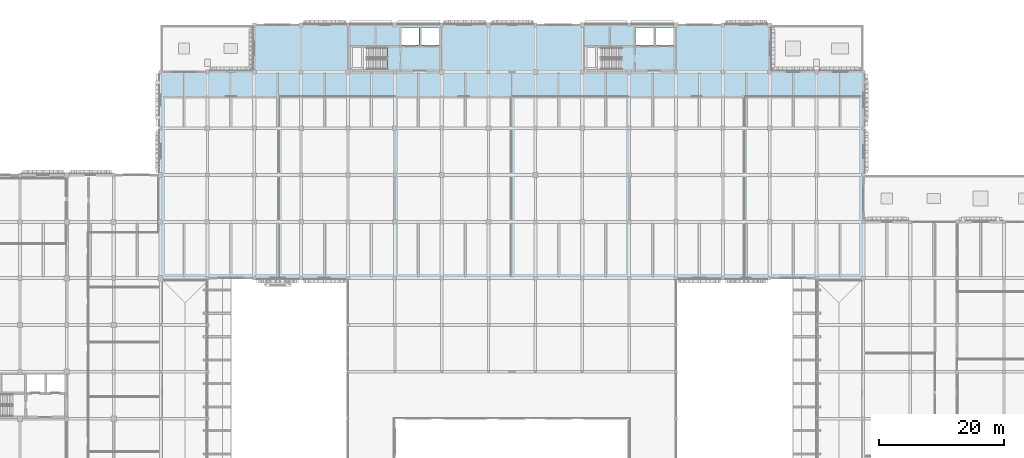
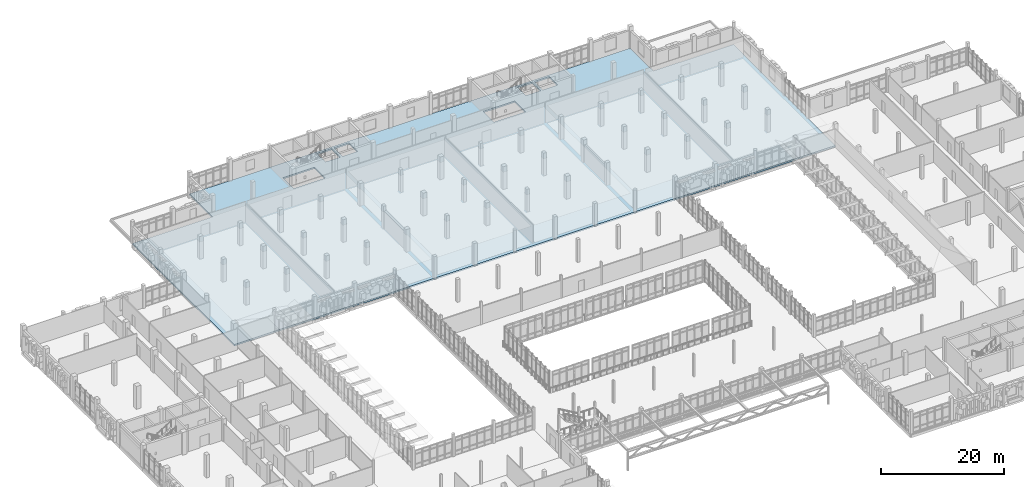
# One storey, part 85 of 128: 1 slab.
"""IFC4 building model written with IfcOpenShell, lengths in metres."""

from ifc_helpers import new_model, si_unit, direction, frame, origin, place, context, subcontext, project, spatial, polyline, outline, extrude, material, layer, layer_set, type_object, element, save


model = new_model("IFC4")

# Units and contexts
model_context = context("Model", 3, precision=1e-05, world=origin(), true_north=direction((0.0, 1.0)))
body_context = subcontext(model_context, "Body", "Model", "MODEL_VIEW")
ifc_project = project(units=[si_unit("LENGTHUNIT", "METRE"), si_unit("AREAUNIT", "SQUARE_METRE"), si_unit("VOLUMEUNIT", "CUBIC_METRE"), si_unit("PLANEANGLEUNIT", "RADIAN"), si_unit("MASSUNIT", "GRAM", prefix="KILO")], contexts=[model_context])

# Site, building, storey
site_placement = place(None, origin())
site = spatial("IfcSite", under=ifc_project, at=site_placement, CompositionType="ELEMENT")
building_placement = place(site_placement, origin())
building = spatial("IfcBuilding", under=site, at=building_placement, Name="Dalvernix Boulevard General Hospital", CompositionType="ELEMENT")
storey_placement = place(building_placement, frame((0.0, 0.0, 4.800048828125)))
storey = spatial("IfcBuildingStorey", under=building, at=storey_placement, Name="L01", CompositionType="ELEMENT", Elevation=4.800048828125)

# Slab
ifc_material = material(Name="Concrete C35/45", Category="concrete")
ifc_layer = layer(ifc_material, 0.300048828125)
ifc_layer_set = layer_set([ifc_layer], Name="Concrete C35/45 (SLB-FS-03)")
slab_type = type_object("IfcSlabType", Name="SLB-FS-03", PredefinedType="FLOOR", material=ifc_layer_set)
slab_placement = place(storey_placement, frame((0.0, 0.0, -0.300048828125)))
element("IfcSlab", 1, at=slab_placement, inside=storey, type_object=slab_type, Name="L01 V3 structural floor slab 1", PredefinedType="FLOOR", context=body_context, shape_type="SweptSolid", body=[
    extrude(outline(polyline([(30.0, 93.0), (30.0, 100.5), (30.0, 109.5), (37.5, 109.5), (45.0, 109.5), (45.0, 117.0), (52.5, 117.0), (60.0, 117.0), (67.5, 117.0), (75.0, 117.0), (82.5, 117.0), (90.0, 117.0), (97.5, 117.0), (105.0, 117.0), (112.5, 117.0), (120.0, 117.0), (127.5, 117.0), (127.5, 109.5), (135.0, 109.5), (142.5, 109.5), (142.5, 100.5), (142.5, 93.0), (142.5, 85.5), (142.5, 76.5), (135.0, 76.5), (127.5, 76.5), (120.0, 76.5), (112.5, 76.5), (105.0, 76.5), (97.5, 76.5), (90.0, 76.5), (82.5, 76.5), (75.0, 76.5), (67.5, 76.5), (60.0, 76.5), (52.5, 76.5), (45.0, 76.5), (37.5, 76.5), (30.0, 76.5), (30.0, 85.5), (30.0, 93.0)]), holes=[polyline([(60.39990234375, 113.39990234375), (60.39990234375, 109.89990234375), (66.2900390625, 109.89990234375), (66.2900390625, 113.39990234375), (60.39990234375, 113.39990234375)]), polyline([(71.39990234375, 116.60009765625), (68.60009765625, 116.60009765625), (68.60009765625, 113.800048828125), (71.39990234375, 113.800048828125), (71.39990234375, 116.60009765625)]), polyline([(74.60009765625, 113.800048828125), (74.60009765625, 116.60009765625), (71.800048828125, 116.60009765625), (71.800048828125, 113.800048828125), (74.60009765625, 113.800048828125)]), polyline([(97.89990234375, 109.89990234375), (103.7900390625, 109.89990234375), (103.7900390625, 113.39990234375), (97.89990234375, 113.39990234375), (97.89990234375, 109.89990234375)]), polyline([(106.10009765625, 116.60009765625), (106.10009765625, 113.800048828125), (108.89990234375, 113.800048828125), (108.89990234375, 116.60009765625), (106.10009765625, 116.60009765625)]), polyline([(112.10009765625, 116.60009765625), (109.300048828125, 116.60009765625), (109.300048828125, 113.800048828125), (112.10009765625, 113.800048828125), (112.10009765625, 116.60009765625)])]), origin(), (0.0, 0.0, 1.0), 0.300048828125),
])

save(model, "model.ifc")
